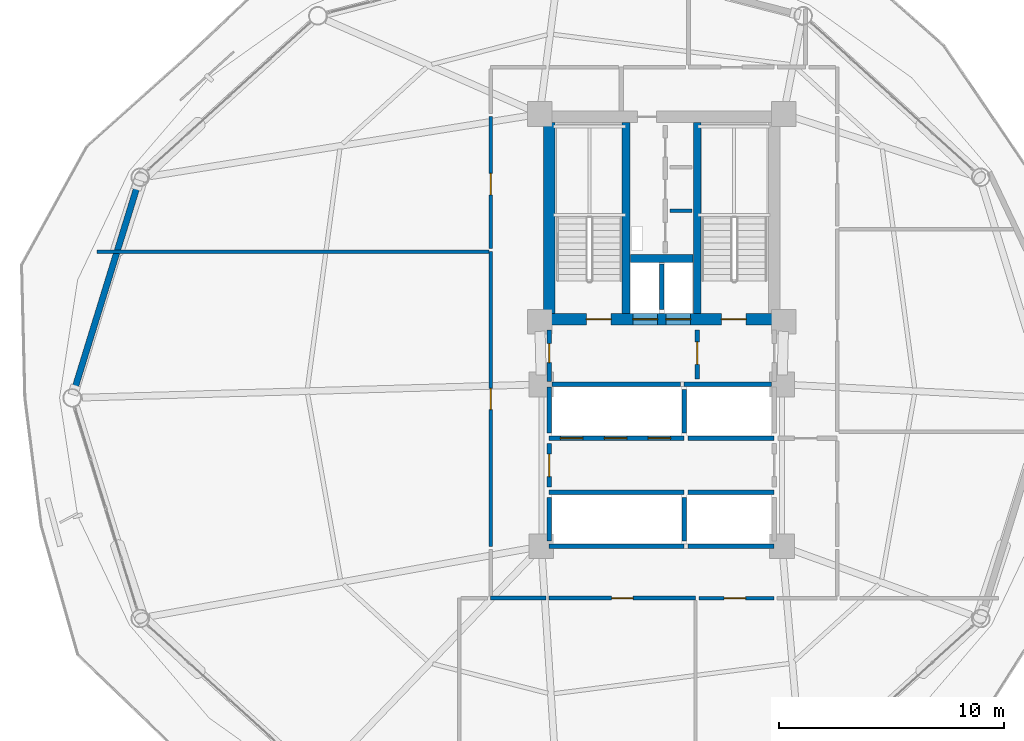
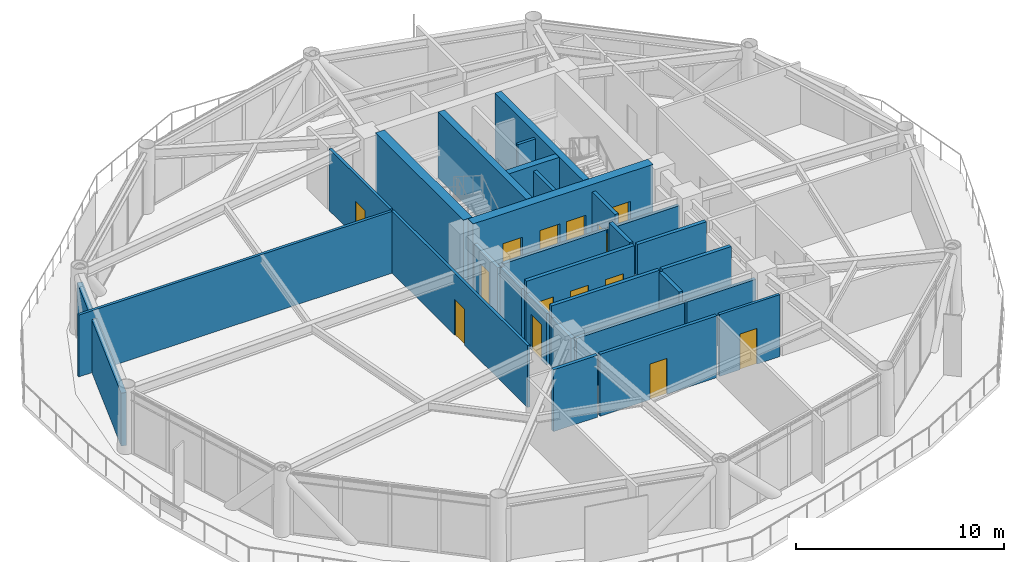
# One storey, part 21 of 26: 29 walls, 14 doors, 14 openings.
"""IFC4 building model written with IfcOpenShell, lengths in metres."""

import ifcopenshell
import ifcopenshell.guid

model = None  # the IFC model being written
_history = None  # IfcOwnerHistory: only IFC2X3 demands one
_inside = {}  # id of a spatial element -> (the spatial element, [elements in it])
_under = {}  # id of a project, library or spatial element -> (it, [spatial elements below it])
_declared = {}  # id of a project -> (the project, [libraries it declares])
_typed = {}  # id of a type object -> (the type object, [elements of that type])
_made_of = {}  # id of a material, layer set ... -> (it, [elements and type objects made of it])


def new_model(schema):
    """Start an empty IFC model of exactly this schema.

    Asked for "IFC4X3", IfcOpenShell would pick the latest addendum, in which some entities
    have other attributes; the version numbers below select the first issue.
    IFC2X3 requires an IfcOwnerHistory on every rooted entity: one is made here for all.
    """
    global model, _history
    if schema == "IFC4X3":
        model = ifcopenshell.file(schema_version=(4, 3, 0, 0))
    else:
        model = ifcopenshell.file(schema=schema)
    _inside.clear()
    _under.clear()
    _declared.clear()
    _typed.clear()
    _made_of.clear()
    _history = None
    if model.schema == "IFC2X3":
        org = make("IfcOrganization", Name="unknown")
        user = make(
            "IfcPersonAndOrganization",
            ThePerson=make("IfcPerson", FamilyName="unknown"),
            TheOrganization=org,
        )
        app = make(
            "IfcApplication",
            ApplicationDeveloper=org,
            Version="unknown",
            ApplicationFullName="unknown",
            ApplicationIdentifier="unknown",
        )
        _history = make(
            "IfcOwnerHistory",
            OwningUser=user,
            OwningApplication=app,
            ChangeAction="ADDED",
            CreationDate=0,
        )
    return model


def make(cls, **values):
    """One entity of the class cls with the attributes given. An attribute that is None is left unset."""
    return model.create_entity(
        cls, **{name: value for name, value in values.items() if value is not None}
    )


def rooted(cls, **values):
    """An entity with a GlobalId (a new one), such as an element, a storey or a relation."""
    return make(cls, GlobalId=ifcopenshell.guid.new(), OwnerHistory=_history, **values)


def si_unit(unit_type, name, prefix=None):
    """IfcSIUnit, for example si_unit("LENGTHUNIT", "METRE", prefix="MILLI")."""
    return make("IfcSIUnit", UnitType=unit_type, Prefix=prefix, Name=name)


def assignment(units):
    """IfcUnitAssignment: the units of a project."""
    return None if units is None else make("IfcUnitAssignment", Units=units)


def point(xyz):
    """IfcCartesianPoint."""
    return None if xyz is None else make("IfcCartesianPoint", Coordinates=xyz)


def direction(xyz):
    """IfcDirection."""
    return None if xyz is None else make("IfcDirection", DirectionRatios=xyz)


def frame(location, z_axis=None, x_axis=None):
    """IfcAxis2Placement3D, a coordinate frame: its origin and axes. An axis left out is left unset."""
    return make(
        "IfcAxis2Placement3D",
        Location=point(location),
        Axis=direction(z_axis),
        RefDirection=direction(x_axis),
    )


def frame_2d(location, x_axis=None):
    """IfcAxis2Placement2D, a coordinate frame in the plane: its origin and x axis."""
    return make(
        "IfcAxis2Placement2D", Location=point(location), RefDirection=direction(x_axis)
    )


def origin():
    """The frame at (0, 0, 0) with its axes left unset."""
    return frame((0.0, 0.0, 0.0))


def place(relative_to, where):
    """IfcLocalPlacement: puts the frame where relative to a parent placement (None: the world)."""
    return make(
        "IfcLocalPlacement", PlacementRelTo=relative_to, RelativePlacement=where
    )


def context(
    kind, dimensions, precision=None, world=None, true_north=None, identifier=None
):
    """IfcGeometricRepresentationContext, for example the 3D "Model" context."""
    return make(
        "IfcGeometricRepresentationContext",
        ContextIdentifier=identifier,
        ContextType=kind,
        CoordinateSpaceDimension=dimensions,
        Precision=precision,
        WorldCoordinateSystem=world,
        TrueNorth=true_north,
    )


def subcontext(parent, identifier, kind, view, scale=None):
    """IfcGeometricRepresentationSubContext, for example "Body" below "Model"."""
    return make(
        "IfcGeometricRepresentationSubContext",
        ContextIdentifier=identifier,
        ContextType=kind,
        ParentContext=parent,
        TargetScale=scale,
        TargetView=view,
    )


def project(units=None, contexts=None):
    """IfcProject with its units and contexts."""
    return rooted(
        "IfcProject",
        Name="project",
        RepresentationContexts=contexts,
        UnitsInContext=assignment(units),
    )


def spatial(cls, under=None, at=None, **own):
    """A site, building, storey or space (cls), placed at a placement, below another one or the project."""
    s = rooted(cls, ObjectPlacement=at, **own)
    if under is not None:
        _under.setdefault(under.id(), (under, []))[1].append(s)
    return s


def profile(cls, at=None, kind="AREA", **sizes):
    """A parametric profile (cls). Its sizes go by their IFC names, for example OverallWidth=200.0."""
    return make(cls, ProfileType=kind, Position=at, **sizes)


def rectangle(**sizes):
    """IfcRectangleProfileDef."""
    return profile("IfcRectangleProfileDef", **sizes)


def extrude(swept, where, along, depth):
    """IfcExtrudedAreaSolid: the profile swept, set in the frame where, extruded along a direction by depth."""
    return make(
        "IfcExtrudedAreaSolid",
        SweptArea=swept,
        Position=where,
        ExtrudedDirection=direction(along),
        Depth=depth,
    )


def shape(context_of_items, identifier, shape_type, items):
    """IfcShapeRepresentation: the items that make up one representation, for example the "Body"."""
    return make(
        "IfcShapeRepresentation",
        ContextOfItems=context_of_items,
        RepresentationIdentifier=identifier,
        RepresentationType=shape_type,
        Items=items,
    )


def material(Name=None, Category=None):
    """IfcMaterial."""
    return make("IfcMaterial", Name=Name, Category=Category)


def layer(
    of_material, thickness, ventilated=None, Name=None, Category=None, Priority=None
):
    """IfcMaterialLayer: one layer of a wall or slab, of a material (None: an air gap)."""
    return make(
        "IfcMaterialLayer",
        Material=of_material,
        LayerThickness=thickness,
        IsVentilated=ventilated,
        Name=Name,
        Category=Category,
        Priority=Priority,
    )


def layer_set(layers, Name=None):
    """IfcMaterialLayerSet."""
    return make("IfcMaterialLayerSet", MaterialLayers=layers, LayerSetName=Name)


def made_of(thing, what):
    """Note that an element or type object is made of a material, layer set ...; save() writes the relation."""
    if what is not None:
        _made_of.setdefault(what.id(), (what, []))[1].append(thing)
    return thing


def type_object(cls, material=None, **own):
    """A type object (cls), such as IfcWallType, which elements share."""
    return made_of(rooted(cls, **own), material)


def element(
    cls,
    number,
    at=None,
    inside=None,
    cuts=None,
    type_object=None,
    material=None,
    context=None,
    identifier="Body",
    shape_type=None,
    held_by="IfcProductDefinitionShape",
    body=None,
    shapes=None,
    **own,
):
    """One element of the class cls, such as IfcWall. Its Tag is "e" and its number.

    at: its placement. inside: the storey or other place that contains it. cuts: it is an
    opening in that element (IfcRelVoidsElement). A single representation is given by context,
    identifier, shape_type and body (its items); several are given by shapes. held_by: the class
    of the entity that holds the representations. save() writes the other relations.
    """
    e = rooted(cls, Tag="e%d" % number, ObjectPlacement=at, **own)
    if body is not None:
        shapes = [shape(context, identifier, shape_type, body)]
    if shapes is not None:
        e.Representation = make(held_by, Representations=shapes)
    if inside is not None:
        _inside.setdefault(inside.id(), (inside, []))[1].append(e)
    if cuts is not None:
        rooted(
            "IfcRelVoidsElement", RelatingBuildingElement=cuts, RelatedOpeningElement=e
        )
    if type_object is not None:
        _typed.setdefault(type_object.id(), (type_object, []))[1].append(e)
    return made_of(e, material)


def fill(opening, filler):
    """IfcRelFillsElement: the door or window that sits in an opening."""
    return rooted(
        "IfcRelFillsElement",
        RelatingOpeningElement=opening,
        RelatedBuildingElement=filler,
    )


def aggregate(whole, parts):
    """IfcRelAggregates: a whole, such as a stair, and the parts it consists of."""
    return rooted("IfcRelAggregates", RelatingObject=whole, RelatedObjects=parts)


def save(model, path):
    """Write the relations noted so far, then the file.

    IfcRelAggregates (storeys below a building ...), IfcRelContainedInSpatialStructure (elements
    in a storey), IfcRelDefinesByType, IfcRelAssociatesMaterial and IfcRelDeclares: one each for
    every whole, place, type object, material and project.
    """
    for whole, parts in _under.values():
        aggregate(whole, parts)
    for where, things in _inside.values():
        rooted(
            "IfcRelContainedInSpatialStructure",
            RelatedElements=things,
            RelatingStructure=where,
        )
    for kind, things in _typed.values():
        rooted("IfcRelDefinesByType", RelatedObjects=things, RelatingType=kind)
    for what, things in _made_of.values():
        rooted("IfcRelAssociatesMaterial", RelatedObjects=things, RelatingMaterial=what)
    for by, libraries in _declared.values():
        rooted("IfcRelDeclares", RelatingContext=by, RelatedDefinitions=libraries)
    model.write(path)


model = new_model("IFC4")

# Units and contexts
model_context = context("Model", 3, precision=1e-05, world=origin(), true_north=direction((0.0, 1.0)))
body_context = subcontext(model_context, "Body", "Model", "MODEL_VIEW")
ifc_project = project(units=[si_unit("LENGTHUNIT", "METRE"), si_unit("AREAUNIT", "SQUARE_METRE"), si_unit("VOLUMEUNIT", "CUBIC_METRE"), si_unit("PLANEANGLEUNIT", "RADIAN"), si_unit("MASSUNIT", "GRAM", prefix="KILO")], contexts=[model_context])

# Site, building, storey
site_placement = place(None, origin())
site = spatial("IfcSite", under=ifc_project, at=site_placement, CompositionType="ELEMENT")
building_placement = place(site_placement, origin())
building = spatial("IfcBuilding", under=site, at=building_placement, Name="Varnakorn Sky Granary", CompositionType="ELEMENT")
storey_placement = place(building_placement, frame((0.0, 0.0, 95.39990234375)))
storey = spatial("IfcBuildingStorey", under=building, at=storey_placement, Name="L23", CompositionType="ELEMENT", Elevation=95.39990234375)

# Walls
ifc_material_1 = material(Name="Concrete C50/60", Category="concrete")
ifc_layer_1 = layer(ifc_material_1, 0.35009765625, Name="Concrete C50/60")
ifc_layer_set_1 = layer_set([ifc_layer_1], Name="Concrete C50/60")
wall_type_1 = type_object("IfcWallType", Name="WT-CW-INT-350", PredefinedType="SHEAR", material=ifc_layer_set_1)
for number, where, z_axis, x_axis, name in (
    (1, (1.419921875, 3.760009765625, 0.0), (0.0, 0.0, 1.0), (0.0, 1.0, 0.0), "Stair ST-1 Core Wall L23"),
    (2, (4.580078125, 3.760009765625, 0.0), (0.0, 0.0, 1.0), (0.0, 1.0, 0.0), "Stair ST-2 Core Wall L23"),
):
    element("IfcWall", number, at=place(storey_placement, frame(where, z_axis=z_axis, x_axis=x_axis)), inside=storey, type_object=wall_type_1, Name=name, PredefinedType="SHEAR", context=body_context, shape_type="SweptSolid", body=[
        extrude(rectangle(XDim=8.47998046875, YDim=0.35009765625, at=frame_2d((4.239990234375, 0.0))), origin(), (0.0, 0.0, 1.0), 3.89208984375),
    ])
wall_1_placement = place(storey_placement, frame((1.610107421875, 6.199951171875, 0.0), z_axis=(0.0, 0.0, 1.0), x_axis=(1.0, 0.0, 0.0)))
element("IfcWall", 3, at=wall_1_placement, inside=storey, type_object=wall_type_1, Name="Core Lift Shaft Cross Wall L23", PredefinedType="SHEAR", context=body_context, shape_type="SweptSolid", body=[
    extrude(rectangle(XDim=2.77978515625, YDim=0.35009765625, at=frame_2d((1.389892578125, 0.0))), origin(), (0.0, 0.0, 1.0), 3.89208984375),
])

# Wall, openings, doors
ifc_material_2 = material(Name="Concrete C60/75", Category="concrete")
ifc_layer_2 = layer(ifc_material_2, 0.5, Name="Concrete C60/75")
ifc_layer_set_2 = layer_set([ifc_layer_2], Name="Concrete C60/75")
wall_type_2 = type_object("IfcWallType", Name="WT-CW-SHEAR-500", PredefinedType="SHEAR", material=ifc_layer_set_2)
wall_2_placement = place(storey_placement, frame((-2.0, 3.5, 0.0), z_axis=(0.0, 0.0, 1.0), x_axis=(1.0, 0.0, 0.0)))
wall_2 = element("IfcWall", 4, at=wall_2_placement, inside=storey, type_object=wall_type_2, Name="Core South Shear Wall L23", PredefinedType="SHEAR", context=body_context, shape_type="SweptSolid", body=[
    extrude(rectangle(XDim=10.0, YDim=0.5, at=frame_2d((5.0, 0.0))), origin(), (0.0, 0.0, 1.0), 3.89208984375),
])
opening_1_placement = place(wall_2_placement, frame((1.64990234375, 0.0, 0.0)))
opening_1 = element("IfcOpeningElement", 5, at=opening_1_placement, cuts=wall_2, Name="Opening FD-90", PredefinedType="OPENING", context=body_context, shape_type="SweptSolid", body=[
    extrude(rectangle(XDim=1.10009765625, YDim=2.14990234375, at=frame_2d((0.550048828125, 1.074951171875))), frame((0.0, 0.260009765625, 0.0), z_axis=(0.0, -1.0, 0.0), x_axis=(1.0, 0.0, 0.0)), (0.0, 0.0, 1.0), 0.52001953125),
])
opening_2_placement = place(wall_2_placement, frame((7.64990234375, 0.0, 0.0)))
opening_2 = element("IfcOpeningElement", 6, at=opening_2_placement, cuts=wall_2, Name="Opening FD-90", PredefinedType="OPENING", context=body_context, shape_type="SweptSolid", body=[
    extrude(rectangle(XDim=1.10009765625, YDim=2.14990234375, at=frame_2d((0.550048828125, 1.074951171875))), frame((0.0, 0.260009765625, 0.0), z_axis=(0.0, -1.0, 0.0), x_axis=(1.0, 0.0, 0.0)), (0.0, 0.0, 1.0), 0.52001953125),
])
opening_3_placement = place(wall_2_placement, frame((3.719970703125, 0.0, 0.0)))
opening_3 = element("IfcOpeningElement", 7, at=opening_3_placement, cuts=wall_2, Name="Opening LD-01", PredefinedType="OPENING", context=body_context, shape_type="SweptSolid", body=[
    extrude(rectangle(XDim=1.10009765625, YDim=2.199951171875, at=frame_2d((0.550048828125, 1.10009765625))), frame((0.0, 0.260009765625, 0.0), z_axis=(0.0, -1.0, 0.0), x_axis=(1.0, 0.0, 0.0)), (0.0, 0.0, 1.0), 0.52001953125),
])
opening_4_placement = place(wall_2_placement, frame((5.179931640625, 0.0, 0.0)))
opening_4 = element("IfcOpeningElement", 8, at=opening_4_placement, cuts=wall_2, Name="Opening LD-01", PredefinedType="OPENING", context=body_context, shape_type="SweptSolid", body=[
    extrude(rectangle(XDim=1.10009765625, YDim=2.199951171875, at=frame_2d((0.550048828125, 1.10009765625))), frame((0.0, 0.260009765625, 0.0), z_axis=(0.0, -1.0, 0.0), x_axis=(1.0, 0.0, 0.0)), (0.0, 0.0, 1.0), 0.52001953125),
])
ifc_material_3 = material(Name="Brushed Bronze Stainless Steel", Category="steel")
door_type_1 = type_object("IfcDoorType", Name="DR-LD-1100", OperationType="DOUBLE_DOOR_SLIDING", PredefinedType="DOOR", material=ifc_material_3)
door_1_placement = place(opening_3_placement, origin())
door_1 = element("IfcDoor", 9, at=door_1_placement, inside=storey, type_object=door_type_1, Name="Firefighting Lift FFL-1 Landing Door L23", OperationType="DOUBLE_DOOR_SLIDING", OverallHeight=2.199951171875, OverallWidth=1.10009765625, PredefinedType="DOOR", context=body_context, shape_type="SweptSolid", body=[
    extrude(rectangle(XDim=1.10009765625, YDim=2.199951171875, at=frame_2d((0.550048828125, 1.10009765625))), frame((0.0, 0.02490234375, 0.0), z_axis=(0.0, -1.0, 0.0), x_axis=(1.0, 0.0, 0.0)), (0.0, 0.0, 1.0), 0.050048828125),
])
fill(opening_3, door_1)
door_2_placement = place(opening_4_placement, origin())
door_2 = element("IfcDoor", 10, at=door_2_placement, inside=storey, type_object=door_type_1, Name="Firefighting Lift FFL-2 Landing Door L23", OperationType="DOUBLE_DOOR_SLIDING", OverallHeight=2.199951171875, OverallWidth=1.10009765625, PredefinedType="DOOR", context=body_context, shape_type="SweptSolid", body=[
    extrude(rectangle(XDim=1.10009765625, YDim=2.199951171875, at=frame_2d((0.550048828125, 1.10009765625))), frame((0.0, 0.02490234375, 0.0), z_axis=(0.0, -1.0, 0.0), x_axis=(1.0, 0.0, 0.0)), (0.0, 0.0, 1.0), 0.050048828125),
])
fill(opening_4, door_2)
ifc_material_4 = material(Name="Galvanised Painted Steel Leaf", Category="steel")
door_type_2 = type_object("IfcDoorType", Name="DR-STAIR-1100", OperationType="NOTDEFINED", PredefinedType="DOOR", material=ifc_material_4)
door_3_placement = place(opening_1_placement, origin())
door_3 = element("IfcDoor", 11, at=door_3_placement, inside=storey, type_object=door_type_2, Name="Stair ST-1 Protected Fire Door L23", OperationType="SINGLE_SWING_LEFT", OverallHeight=2.14990234375, OverallWidth=1.10009765625, PredefinedType="DOOR", context=body_context, shape_type="SweptSolid", body=[
    extrude(rectangle(XDim=1.10009765625, YDim=2.14990234375, at=frame_2d((0.550048828125, 1.074951171875))), frame((0.0, 0.02490234375, 0.0), z_axis=(0.0, -1.0, 0.0), x_axis=(1.0, 0.0, 0.0)), (0.0, 0.0, 1.0), 0.050048828125),
])
fill(opening_1, door_3)
door_4_placement = place(opening_2_placement, origin())
door_4 = element("IfcDoor", 12, at=door_4_placement, inside=storey, type_object=door_type_2, Name="Stair ST-2 Protected Fire Door L23", OperationType="SINGLE_SWING_RIGHT", OverallHeight=2.14990234375, OverallWidth=1.10009765625, PredefinedType="DOOR", context=body_context, shape_type="SweptSolid", body=[
    extrude(rectangle(XDim=1.10009765625, YDim=2.14990234375, at=frame_2d((0.550048828125, 1.074951171875))), frame((0.0, 0.02490234375, 0.0), z_axis=(0.0, -1.0, 0.0), x_axis=(1.0, 0.0, 0.0)), (0.0, 0.0, 1.0), 0.050048828125),
])
fill(opening_2, door_4)

# Walls
wall_3_placement = place(storey_placement, frame((-2.0, 3.760009765625, 0.0), z_axis=(0.0, 0.0, 1.0), x_axis=(0.0, 1.0, 0.0)))
element("IfcWall", 13, at=wall_3_placement, inside=storey, type_object=wall_type_2, Name="Core West Shear Wall L23", PredefinedType="SHEAR", context=body_context, shape_type="SweptSolid", body=[
    extrude(rectangle(XDim=8.47998046875, YDim=0.5, at=frame_2d((4.239990234375, 0.0))), origin(), (0.0, 0.0, 1.0), 3.89208984375),
])
ifc_material_5 = material(Name="Precast concrete C40/50", Category="concrete")
ifc_layer_3 = layer(ifc_material_5, 0.280029296875, Name="Precast concrete C40/50")
ifc_layer_set_3 = layer_set([ifc_layer_3], Name="Precast concrete C40/50")
wall_type_3 = type_object("IfcWallType", Name="WT-EW-CRN-280", PredefinedType="SOLIDWALL", material=ifc_layer_set_3)
wall_4_placement = place(storey_placement, frame((-23.1103515625, 0.345458984375, 0.0), z_axis=(0.0, 0.0, 1.0), x_axis=(0.294788669412, 0.955562473304, 0.0)))
element("IfcWall", 14, at=wall_4_placement, inside=storey, type_object=wall_type_3, Name="Agritech Insulated Precast Facade Wall L23-P06", PredefinedType="SOLIDWALL", context=body_context, shape_type="SweptSolid", body=[
    extrude(rectangle(XDim=9.543212890625, YDim=0.280029296875, at=frame_2d((4.771484375, 0.0))), origin(), (0.0, 0.0, 1.0), 3.110107421875),
])

# Wall, opening, door
ifc_material_6 = material(Name="Autoclaved Aerated Concrete Blockwork", Category="masonry")
ifc_layer_4 = layer(ifc_material_6, 0.199951171875, Name="Autoclaved Aerated Concrete Blockwork")
ifc_layer_set_4 = layer_set([ifc_layer_4], Name="Autoclaved Aerated Concrete Blockwork")
wall_type_4 = type_object("IfcWallType", Name="WT-FIRE-200", PredefinedType="MOVABLE", material=ifc_layer_set_4)
wall_5_placement = place(storey_placement, frame((4.580078125, 0.830078125, 0.0), z_axis=(0.0, 0.0, 1.0), x_axis=(0.0, 1.0, 0.0)))
wall_5 = element("IfcWall", 15, at=wall_5_placement, inside=storey, type_object=wall_type_4, Name="Interior Partition Wall L23-016", PredefinedType="MOVABLE", context=body_context, shape_type="SweptSolid", body=[
    extrude(rectangle(XDim=2.18994140625, YDim=0.199951171875, at=frame_2d((1.094970703125, 0.0))), origin(), (0.0, 0.0, 1.0), 3.64013671875),
])
opening_5_placement = place(wall_5_placement, frame((0.659912109375, 0.0, 0.0)))
opening_5 = element("IfcOpeningElement", 16, at=opening_5_placement, cuts=wall_5, Name="Opening FD-60", PredefinedType="OPENING", context=body_context, shape_type="SweptSolid", body=[
    extrude(rectangle(XDim=1.0, YDim=2.10009765625, at=frame_2d((0.5, 1.050048828125))), frame((0.0, 0.10986328125, 0.0), z_axis=(0.0, -1.0, 0.0), x_axis=(1.0, 0.0, 0.0)), (0.0, 0.0, 1.0), 0.219970703125),
])
ifc_material_7 = material(Name="Acoustic Timber Fire Leaf", Category="wood")
door_type_3 = type_object("IfcDoorType", Name="DR-FD60-1000", OperationType="NOTDEFINED", PredefinedType="DOOR", material=ifc_material_7)
door_5_placement = place(opening_5_placement, origin())
door_5 = element("IfcDoor", 17, at=door_5_placement, inside=storey, type_object=door_type_3, Name="Interior Door L23-016-1", OperationType="SINGLE_SWING_LEFT", OverallHeight=2.10009765625, OverallWidth=1.0, PredefinedType="DOOR", context=body_context, shape_type="SweptSolid", body=[
    extrude(rectangle(XDim=1.0, YDim=2.10009765625, at=frame_2d((0.5, 1.050048828125))), frame((0.0, 0.02490234375, 0.0), z_axis=(0.0, -1.0, 0.0), x_axis=(1.0, 0.0, 0.0)), (0.0, 0.0, 1.0), 0.050048828125),
])
fill(opening_5, door_5)

wall_6_placement = place(storey_placement, frame((-2.0, 0.719970703125, 0.0), z_axis=(0.0, 0.0, 1.0), x_axis=(0.0, 1.0, 0.0)))
wall_6 = element("IfcWall", 18, at=wall_6_placement, inside=storey, type_object=wall_type_4, Name="Interior Partition Wall L23-017", PredefinedType="MOVABLE", context=body_context, shape_type="SweptSolid", body=[
    extrude(rectangle(XDim=2.300048828125, YDim=0.199951171875, at=frame_2d((1.14990234375, 0.0))), origin(), (0.0, 0.0, 1.0), 2.8720703125),
])
opening_6_placement = place(wall_6_placement, frame((0.844970703125, 0.0, 0.0)))
opening_6 = element("IfcOpeningElement", 19, at=opening_6_placement, cuts=wall_6, Name="Opening FD-60N", PredefinedType="OPENING", context=body_context, shape_type="SweptSolid", body=[
    extrude(rectangle(XDim=0.85009765625, YDim=2.10009765625, at=frame_2d((0.425048828125, 1.050048828125))), frame((0.0, 0.10986328125, 0.0), z_axis=(0.0, -1.0, 0.0), x_axis=(1.0, 0.0, 0.0)), (0.0, 0.0, 1.0), 0.219970703125),
])
door_type_4 = type_object("IfcDoorType", Name="DR-FD60-850", OperationType="NOTDEFINED", PredefinedType="DOOR", material=ifc_material_7)
door_6_placement = place(opening_6_placement, origin())
door_6 = element("IfcDoor", 20, at=door_6_placement, inside=storey, type_object=door_type_4, Name="Interior Door L23-017-1", OperationType="SINGLE_SWING_RIGHT", OverallHeight=2.10009765625, OverallWidth=0.85009765625, PredefinedType="DOOR", context=body_context, shape_type="SweptSolid", body=[
    extrude(rectangle(XDim=0.85009765625, YDim=2.10009765625, at=frame_2d((0.425048828125, 1.050048828125))), frame((0.0, 0.02490234375, 0.0), z_axis=(0.0, -1.0, 0.0), x_axis=(1.0, 0.0, 0.0)), (0.0, 0.0, 1.0), 0.050048828125),
])
fill(opening_6, door_6)

wall_7_placement = place(storey_placement, frame((-2.0, -3.969970703125, 0.0), z_axis=(0.0, 0.0, 1.0), x_axis=(0.0, 1.0, 0.0)))
wall_7 = element("IfcWall", 21, at=wall_7_placement, inside=storey, type_object=wall_type_4, Name="Interior Partition Wall L23-019", PredefinedType="MOVABLE", context=body_context, shape_type="SweptSolid", body=[
    extrude(rectangle(XDim=1.93994140625, YDim=0.199951171875, at=frame_2d((0.969970703125, 0.0))), origin(), (0.0, 0.0, 1.0), 3.022216796875),
])
opening_7_placement = place(wall_7_placement, frame((0.469970703125, 0.0, 0.0)))
opening_7 = element("IfcOpeningElement", 22, at=opening_7_placement, cuts=wall_7, Name="Opening FD-60", PredefinedType="OPENING", context=body_context, shape_type="SweptSolid", body=[
    extrude(rectangle(XDim=1.0, YDim=2.10009765625, at=frame_2d((0.5, 1.050048828125))), frame((0.0, 0.10986328125, 0.0), z_axis=(0.0, -1.0, 0.0), x_axis=(1.0, 0.0, 0.0)), (0.0, 0.0, 1.0), 0.219970703125),
])
door_7_placement = place(opening_7_placement, origin())
door_7 = element("IfcDoor", 23, at=door_7_placement, inside=storey, type_object=door_type_3, Name="Interior Door L23-019-1", OperationType="SINGLE_SWING_RIGHT", OverallHeight=2.10009765625, OverallWidth=1.0, PredefinedType="DOOR", context=body_context, shape_type="SweptSolid", body=[
    extrude(rectangle(XDim=1.0, YDim=2.10009765625, at=frame_2d((0.5, 1.050048828125))), frame((0.0, 0.02490234375, 0.0), z_axis=(0.0, -1.0, 0.0), x_axis=(1.0, 0.0, 0.0)), (0.0, 0.0, 1.0), 0.050048828125),
])
fill(opening_7, door_7)

# Wall
wall_8_placement = place(storey_placement, frame((-1.8798828125, 0.60009765625, 0.0), z_axis=(0.0, 0.0, 1.0), x_axis=(1.0, 0.0, 0.0)))
element("IfcWall", 24, at=wall_8_placement, inside=storey, type_object=wall_type_4, Name="Interior Partition Wall L23-032", PredefinedType="MOVABLE", context=body_context, shape_type="SweptSolid", body=[
    extrude(rectangle(XDim=5.719970703125, YDim=0.199951171875, at=frame_2d((2.85986328125, 0.0))), origin(), (0.0, 0.0, 1.0), 3.172119140625),
])

# Wall, opening, door
ifc_material_8 = material(Name="Gypsum Plasterboard on Steel Stud", Category="steel")
ifc_layer_5 = layer(ifc_material_8, 0.14990234375, Name="Gypsum Plasterboard on Steel Stud")
ifc_layer_set_5 = layer_set([ifc_layer_5], Name="Gypsum Plasterboard on Steel Stud")
wall_type_5 = type_object("IfcWallType", Name="WT-PART-150", PredefinedType="PARTITIONING", material=ifc_layer_set_5)
wall_9_placement = place(storey_placement, frame((4.64990234375, -8.89990234375, 0.0), z_axis=(0.0, 0.0, 1.0), x_axis=(1.0, 0.0, 0.0)))
wall_9 = element("IfcWall", 25, at=wall_9_placement, inside=storey, type_object=wall_type_5, Name="Interior Partition Wall L23-024", PredefinedType="PARTITIONING", context=body_context, shape_type="SweptSolid", body=[
    extrude(rectangle(XDim=3.35009765625, YDim=0.14990234375, at=frame_2d((1.675048828125, 0.0))), origin(), (0.0, 0.0, 1.0), 3.64013671875),
])
opening_8_placement = place(wall_9_placement, frame((1.125, 0.0, 0.0)))
opening_8 = element("IfcOpeningElement", 26, at=opening_8_placement, cuts=wall_9, Name="Opening ID-95", PredefinedType="OPENING", context=body_context, shape_type="SweptSolid", body=[
    extrude(rectangle(XDim=0.949951171875, YDim=2.10009765625, at=frame_2d((0.47509765625, 1.050048828125))), frame((0.0, 0.0849609375, 0.0), z_axis=(0.0, -1.0, 0.0), x_axis=(1.0, 0.0, 0.0)), (0.0, 0.0, 1.0), 0.169921875),
])
ifc_material_9 = material(Name="Solid-Core Teak Veneer Leaf", Category="timber")
door_type_5 = type_object("IfcDoorType", Name="DR-INT-950", OperationType="NOTDEFINED", PredefinedType="DOOR", material=ifc_material_9)
door_8_placement = place(opening_8_placement, origin())
door_8 = element("IfcDoor", 27, at=door_8_placement, inside=storey, type_object=door_type_5, Name="Interior Door L23-024-1", OperationType="SINGLE_SWING_LEFT", OverallHeight=2.10009765625, OverallWidth=0.949951171875, PredefinedType="DOOR", context=body_context, shape_type="SweptSolid", body=[
    extrude(rectangle(XDim=0.949951171875, YDim=2.10009765625, at=frame_2d((0.47509765625, 1.050048828125))), frame((0.0, 0.02490234375, 0.0), z_axis=(0.0, -1.0, 0.0), x_axis=(1.0, 0.0, 0.0)), (0.0, 0.0, 1.0), 0.050048828125),
])
fill(opening_8, door_8)

wall_10_placement = place(storey_placement, frame((-4.60009765625, 6.5, 0.0), z_axis=(0.0, 0.0, 1.0), x_axis=(0.0, -1.0, 0.0)))
wall_10 = element("IfcWall", 28, at=wall_10_placement, inside=storey, type_object=wall_type_5, Name="Interior Partition Wall L23-025", PredefinedType="PARTITIONING", context=body_context, shape_type="SweptSolid", body=[
    extrude(rectangle(XDim=13.10009765625, YDim=0.14990234375, at=frame_2d((6.550048828125, 0.0))), origin(), (0.0, 0.0, 1.0), 3.64013671875),
])
opening_9_placement = place(wall_10_placement, frame((6.074951171875, 0.0, 0.0)))
opening_9 = element("IfcOpeningElement", 29, at=opening_9_placement, cuts=wall_10, Name="Opening ID-95", PredefinedType="OPENING", context=body_context, shape_type="SweptSolid", body=[
    extrude(rectangle(XDim=0.949951171875, YDim=2.10009765625, at=frame_2d((0.47509765625, 1.050048828125))), frame((0.0, 0.0849609375, 0.0), z_axis=(0.0, -1.0, 0.0), x_axis=(1.0, 0.0, 0.0)), (0.0, 0.0, 1.0), 0.169921875),
])
door_9_placement = place(opening_9_placement, origin())
door_9 = element("IfcDoor", 30, at=door_9_placement, inside=storey, type_object=door_type_5, Name="Interior Door L23-025-1", OperationType="SINGLE_SWING_RIGHT", OverallHeight=2.10009765625, OverallWidth=0.949951171875, PredefinedType="DOOR", context=body_context, shape_type="SweptSolid", body=[
    extrude(rectangle(XDim=0.949951171875, YDim=2.10009765625, at=frame_2d((0.47509765625, 1.050048828125))), frame((0.0, 0.02490234375, 0.0), z_axis=(0.0, -1.0, 0.0), x_axis=(1.0, 0.0, 0.0)), (0.0, 0.0, 1.0), 0.050048828125),
])
fill(opening_9, door_9)

wall_11_placement = place(storey_placement, frame((-4.60009765625, 12.5, 0.0), z_axis=(0.0, 0.0, 1.0), x_axis=(0.0, -1.0, 0.0)))
wall_11 = element("IfcWall", 31, at=wall_11_placement, inside=storey, type_object=wall_type_5, Name="Interior Partition Wall L23-026", PredefinedType="PARTITIONING", context=body_context, shape_type="SweptSolid", body=[
    extrude(rectangle(XDim=5.864990234375, YDim=0.14990234375, at=frame_2d((2.9326171875, 0.0))), origin(), (0.0, 0.0, 1.0), 3.64013671875),
])
opening_10_placement = place(wall_11_placement, frame((2.52490234375, 0.0, 0.0)))
opening_10 = element("IfcOpeningElement", 32, at=opening_10_placement, cuts=wall_11, Name="Opening ID-95", PredefinedType="OPENING", context=body_context, shape_type="SweptSolid", body=[
    extrude(rectangle(XDim=0.949951171875, YDim=2.10009765625, at=frame_2d((0.47509765625, 1.050048828125))), frame((0.0, 0.0849609375, 0.0), z_axis=(0.0, -1.0, 0.0), x_axis=(1.0, 0.0, 0.0)), (0.0, 0.0, 1.0), 0.169921875),
])
door_10_placement = place(opening_10_placement, origin())
door_10 = element("IfcDoor", 33, at=door_10_placement, inside=storey, type_object=door_type_5, Name="Interior Door L23-026-1", OperationType="SINGLE_SWING_LEFT", OverallHeight=2.10009765625, OverallWidth=0.949951171875, PredefinedType="DOOR", context=body_context, shape_type="SweptSolid", body=[
    extrude(rectangle(XDim=0.949951171875, YDim=2.10009765625, at=frame_2d((0.47509765625, 1.050048828125))), frame((0.0, 0.02490234375, 0.0), z_axis=(0.0, -1.0, 0.0), x_axis=(1.0, 0.0, 0.0)), (0.0, 0.0, 1.0), 0.050048828125),
])
fill(opening_10, door_10)

# Walls
wall_12_placement = place(storey_placement, frame((3.3701171875, 8.320068359375, 0.0), z_axis=(0.0, 0.0, 1.0), x_axis=(1.0, 0.0, 0.0)))
element("IfcWall", 34, at=wall_12_placement, inside=storey, type_object=wall_type_5, Name="Interior Partition Wall L23-030", PredefinedType="PARTITIONING", context=body_context, shape_type="SweptSolid", body=[
    extrude(rectangle(XDim=0.97998046875, YDim=0.14990234375, at=frame_2d((0.489990234375, 0.0))), origin(), (0.0, 0.0, 1.0), 3.64013671875),
])
wall_13_placement = place(storey_placement, frame((-22.10595703125, 6.5, 0.0), z_axis=(0.0, 0.0, 1.0), x_axis=(1.0, 0.0, 0.0)))
element("IfcWall", 35, at=wall_13_placement, inside=storey, type_object=wall_type_5, Name="Interior Partition Wall L23-042", PredefinedType="PARTITIONING", context=body_context, shape_type="SweptSolid", body=[
    extrude(rectangle(XDim=17.4208984375, YDim=0.14990234375, at=frame_2d((8.71044921875, 0.0))), origin(), (0.0, 0.0, 1.0), 3.64013671875),
])

# Wall, opening, door
ifc_material_10 = material(Name="Moisture-Resistant Gypsum on Stud", Category="gypsum")
ifc_layer_6 = layer(ifc_material_10, 0.179931640625, Name="Moisture-Resistant Gypsum on Stud")
ifc_layer_set_6 = layer_set([ifc_layer_6], Name="Moisture-Resistant Gypsum on Stud")
wall_type_6 = type_object("IfcWallType", Name="WT-PLUMB-180", PredefinedType="PLUMBINGWALL", material=ifc_layer_set_6)
wall_14_placement = place(storey_placement, frame((-2.0, -8.89990234375, 0.0), z_axis=(0.0, 0.0, 1.0), x_axis=(1.0, 0.0, 0.0)))
wall_14 = element("IfcWall", 36, at=wall_14_placement, inside=storey, type_object=wall_type_6, Name="Interior Partition Wall L23-023", PredefinedType="PLUMBINGWALL", context=body_context, shape_type="SweptSolid", body=[
    extrude(rectangle(XDim=6.5, YDim=0.179931640625, at=frame_2d((3.25, 0.0))), origin(), (0.0, 0.0, 1.0), 3.64013671875),
])
opening_11_placement = place(wall_14_placement, frame((2.77490234375, 0.0, 0.0)))
opening_11 = element("IfcOpeningElement", 37, at=opening_11_placement, cuts=wall_14, Name="Opening ID-95", PredefinedType="OPENING", context=body_context, shape_type="SweptSolid", body=[
    extrude(rectangle(XDim=0.949951171875, YDim=2.10009765625, at=frame_2d((0.47509765625, 1.050048828125))), frame((0.0, 0.10009765625, 0.0), z_axis=(0.0, -1.0, 0.0), x_axis=(1.0, 0.0, 0.0)), (0.0, 0.0, 1.0), 0.199951171875),
])
door_11_placement = place(opening_11_placement, origin())
door_11 = element("IfcDoor", 38, at=door_11_placement, inside=storey, type_object=door_type_5, Name="Interior Door L23-023-1", OperationType="SINGLE_SWING_RIGHT", OverallHeight=2.10009765625, OverallWidth=0.949951171875, PredefinedType="DOOR", context=body_context, shape_type="SweptSolid", body=[
    extrude(rectangle(XDim=0.949951171875, YDim=2.10009765625, at=frame_2d((0.47509765625, 1.050048828125))), frame((0.0, 0.02490234375, 0.0), z_axis=(0.0, -1.0, 0.0), x_axis=(1.0, 0.0, 0.0)), (0.0, 0.0, 1.0), 0.050048828125),
])
fill(opening_11, door_11)

# Walls
wall_15_placement = place(storey_placement, frame((-4.60009765625, -8.89990234375, 0.0), z_axis=(0.0, 0.0, 1.0), x_axis=(1.0, 0.0, 0.0)))
element("IfcWall", 39, at=wall_15_placement, inside=storey, type_object=wall_type_6, Name="Interior Partition Wall L23-035", PredefinedType="PLUMBINGWALL", context=body_context, shape_type="SweptSolid", body=[
    extrude(rectangle(XDim=2.4501953125, YDim=0.179931640625, at=frame_2d((1.22509765625, 0.0))), origin(), (0.0, 0.0, 1.0), 3.64013671875),
])
ifc_layer_7 = layer(ifc_material_6, 0.199951171875, Name="Autoclaved Aerated Concrete Blockwork")
ifc_layer_set_7 = layer_set([ifc_layer_7], Name="Autoclaved Aerated Concrete Blockwork")
wall_type_7 = type_object("IfcWallType", Name="WT-SHAFT-200", PredefinedType="SOLIDWALL", material=ifc_layer_set_7)
wall_16_placement = place(storey_placement, frame((3.0, 3.919921875, 0.0), z_axis=(0.0, 0.0, 1.0), x_axis=(0.0, 1.0, 0.0)))
element("IfcWall", 40, at=wall_16_placement, inside=storey, type_object=wall_type_7, Name="Interior Partition Wall L23-001", PredefinedType="SOLIDWALL", context=body_context, shape_type="SweptSolid", body=[
    extrude(rectangle(XDim=2.030029296875, YDim=0.199951171875, at=frame_2d((1.01513671875, 0.0))), origin(), (0.0, 0.0, 1.0), 3.64013671875),
])
wall_17_placement = place(storey_placement, frame((4.0, 0.60009765625, 0.0), z_axis=(0.0, 0.0, 1.0), x_axis=(1.0, 0.0, 0.0)))
element("IfcWall", 41, at=wall_17_placement, inside=storey, type_object=wall_type_7, Name="Interior Partition Wall L23-002", PredefinedType="SOLIDWALL", context=body_context, shape_type="SweptSolid", body=[
    extrude(rectangle(XDim=3.8798828125, YDim=0.199951171875, at=frame_2d((1.93994140625, 0.0))), origin(), (0.0, 0.0, 1.0), 3.172119140625),
])

# Wall, openings, doors
wall_18_placement = place(storey_placement, frame((-2.0, -1.800048828125, 0.0), z_axis=(0.0, 0.0, 1.0), x_axis=(1.0, 0.0, 0.0)))
wall_18 = element("IfcWall", 42, at=wall_18_placement, inside=storey, type_object=wall_type_7, Name="Interior Partition Wall L23-003", PredefinedType="SOLIDWALL", context=body_context, shape_type="SweptSolid", body=[
    extrude(rectangle(XDim=6.0, YDim=0.199951171875, at=frame_2d((3.0, 0.0))), origin(), (0.0, 0.0, 1.0), 3.64013671875),
])
opening_12_placement = place(wall_18_placement, frame((0.5, 0.0, 0.0)))
opening_12 = element("IfcOpeningElement", 43, at=opening_12_placement, cuts=wall_18, Name="Opening LD-03", PredefinedType="OPENING", context=body_context, shape_type="SweptSolid", body=[
    extrude(rectangle(XDim=1.0, YDim=2.199951171875, at=frame_2d((0.5, 1.10009765625))), frame((0.0, 0.10986328125, 0.0), z_axis=(0.0, -1.0, 0.0), x_axis=(1.0, 0.0, 0.0)), (0.0, 0.0, 1.0), 0.219970703125),
])
opening_13_placement = place(wall_18_placement, frame((2.449951171875, 0.0, 0.0)))
opening_13 = element("IfcOpeningElement", 44, at=opening_13_placement, cuts=wall_18, Name="Opening LD-03", PredefinedType="OPENING", context=body_context, shape_type="SweptSolid", body=[
    extrude(rectangle(XDim=1.0, YDim=2.199951171875, at=frame_2d((0.5, 1.10009765625))), frame((0.0, 0.10986328125, 0.0), z_axis=(0.0, -1.0, 0.0), x_axis=(1.0, 0.0, 0.0)), (0.0, 0.0, 1.0), 0.219970703125),
])
opening_14_placement = place(wall_18_placement, frame((4.39990234375, 0.0, 0.0)))
opening_14 = element("IfcOpeningElement", 45, at=opening_14_placement, cuts=wall_18, Name="Opening LD-03", PredefinedType="OPENING", context=body_context, shape_type="SweptSolid", body=[
    extrude(rectangle(XDim=1.0, YDim=2.199951171875, at=frame_2d((0.5, 1.10009765625))), frame((0.0, 0.10986328125, 0.0), z_axis=(0.0, -1.0, 0.0), x_axis=(1.0, 0.0, 0.0)), (0.0, 0.0, 1.0), 0.219970703125),
])
door_type_6 = type_object("IfcDoorType", Name="DR-LD-1000", OperationType="DOUBLE_DOOR_SLIDING", PredefinedType="DOOR", material=ifc_material_3)
door_12_placement = place(opening_12_placement, origin())
door_12 = element("IfcDoor", 46, at=door_12_placement, inside=storey, type_object=door_type_6, Name="Passenger Lift PL-L1 Sliding Landing Door L23", OperationType="DOUBLE_DOOR_SLIDING", OverallHeight=2.199951171875, OverallWidth=1.0, PredefinedType="DOOR", context=body_context, shape_type="SweptSolid", body=[
    extrude(rectangle(XDim=1.0, YDim=2.199951171875, at=frame_2d((0.5, 1.10009765625))), frame((0.0, 0.02490234375, 0.0), z_axis=(0.0, -1.0, 0.0), x_axis=(1.0, 0.0, 0.0)), (0.0, 0.0, 1.0), 0.050048828125),
])
fill(opening_12, door_12)
door_13_placement = place(opening_13_placement, origin())
door_13 = element("IfcDoor", 47, at=door_13_placement, inside=storey, type_object=door_type_6, Name="Passenger Lift PL-L2 Sliding Landing Door L23", OperationType="DOUBLE_DOOR_SLIDING", OverallHeight=2.199951171875, OverallWidth=1.0, PredefinedType="DOOR", context=body_context, shape_type="SweptSolid", body=[
    extrude(rectangle(XDim=1.0, YDim=2.199951171875, at=frame_2d((0.5, 1.10009765625))), frame((0.0, 0.02490234375, 0.0), z_axis=(0.0, -1.0, 0.0), x_axis=(1.0, 0.0, 0.0)), (0.0, 0.0, 1.0), 0.050048828125),
])
fill(opening_13, door_13)
door_14_placement = place(opening_14_placement, origin())
door_14 = element("IfcDoor", 48, at=door_14_placement, inside=storey, type_object=door_type_6, Name="Passenger Lift PL-L3 Sliding Landing Door L23", OperationType="DOUBLE_DOOR_SLIDING", OverallHeight=2.199951171875, OverallWidth=1.0, PredefinedType="DOOR", context=body_context, shape_type="SweptSolid", body=[
    extrude(rectangle(XDim=1.0, YDim=2.199951171875, at=frame_2d((0.5, 1.10009765625))), frame((0.0, 0.02490234375, 0.0), z_axis=(0.0, -1.0, 0.0), x_axis=(1.0, 0.0, 0.0)), (0.0, 0.0, 1.0), 0.050048828125),
])
fill(opening_14, door_14)

# Walls
wall_19_placement = place(storey_placement, frame((-2.0, -1.570068359375, 0.0), z_axis=(0.0, 0.0, 1.0), x_axis=(0.0, 1.0, 0.0)))
element("IfcWall", 49, at=wall_19_placement, inside=storey, type_object=wall_type_7, Name="Interior Partition Wall L23-004", PredefinedType="SOLIDWALL", context=body_context, shape_type="SweptSolid", body=[
    extrude(rectangle(XDim=2.050048828125, YDim=0.199951171875, at=frame_2d((1.02490234375, 0.0))), origin(), (0.0, 0.0, 1.0), 3.022216796875),
])
wall_20_placement = place(storey_placement, frame((4.159912109375, -1.800048828125, 0.0), z_axis=(0.0, 0.0, 1.0), x_axis=(1.0, 0.0, 0.0)))
element("IfcWall", 50, at=wall_20_placement, inside=storey, type_object=wall_type_7, Name="Interior Partition Wall L23-005", PredefinedType="SOLIDWALL", context=body_context, shape_type="SweptSolid", body=[
    extrude(rectangle(XDim=3.840087890625, YDim=0.199951171875, at=frame_2d((1.919921875, 0.0))), origin(), (0.0, 0.0, 1.0), 3.64013671875),
])
wall_21_placement = place(storey_placement, frame((4.0, -1.570068359375, 0.0), z_axis=(0.0, 0.0, 1.0), x_axis=(0.0, 1.0, 0.0)))
element("IfcWall", 51, at=wall_21_placement, inside=storey, type_object=wall_type_7, Name="Interior Partition Wall L23-006", PredefinedType="SOLIDWALL", context=body_context, shape_type="SweptSolid", body=[
    extrude(rectangle(XDim=1.940185546875, YDim=0.199951171875, at=frame_2d((0.97021484375, 0.0))), origin(), (0.0, 0.0, 1.0), 3.64013671875),
])
wall_22_placement = place(storey_placement, frame((-2.0, -4.199951171875, 0.0), z_axis=(0.0, 0.0, 1.0), x_axis=(1.0, 0.0, 0.0)))
element("IfcWall", 52, at=wall_22_placement, inside=storey, type_object=wall_type_7, Name="Interior Partition Wall L23-008", PredefinedType="SOLIDWALL", context=body_context, shape_type="SweptSolid", body=[
    extrude(rectangle(XDim=6.0, YDim=0.199951171875, at=frame_2d((3.0, 0.0))), origin(), (0.0, 0.0, 1.0), 3.64013671875),
])
wall_23_placement = place(storey_placement, frame((-2.0, -6.60009765625, 0.0), z_axis=(0.0, 0.0, 1.0), x_axis=(1.0, 0.0, 0.0)))
element("IfcWall", 53, at=wall_23_placement, inside=storey, type_object=wall_type_7, Name="Interior Partition Wall L23-009", PredefinedType="SOLIDWALL", context=body_context, shape_type="SweptSolid", body=[
    extrude(rectangle(XDim=6.0, YDim=0.199951171875, at=frame_2d((3.0, 0.0))), origin(), (0.0, 0.0, 1.0), 3.172119140625),
])
wall_24_placement = place(storey_placement, frame((-2.0, -6.3701171875, 0.0), z_axis=(0.0, 0.0, 1.0), x_axis=(0.0, 1.0, 0.0)))
element("IfcWall", 54, at=wall_24_placement, inside=storey, type_object=wall_type_7, Name="Interior Partition Wall L23-010", PredefinedType="SOLIDWALL", context=body_context, shape_type="SweptSolid", body=[
    extrude(rectangle(XDim=1.940185546875, YDim=0.199951171875, at=frame_2d((0.97021484375, 0.0))), origin(), (0.0, 0.0, 1.0), 3.022216796875),
])
wall_25_placement = place(storey_placement, frame((4.159912109375, -4.199951171875, 0.0), z_axis=(0.0, 0.0, 1.0), x_axis=(1.0, 0.0, 0.0)))
element("IfcWall", 55, at=wall_25_placement, inside=storey, type_object=wall_type_7, Name="Interior Partition Wall L23-011", PredefinedType="SOLIDWALL", context=body_context, shape_type="SweptSolid", body=[
    extrude(rectangle(XDim=3.840087890625, YDim=0.199951171875, at=frame_2d((1.919921875, 0.0))), origin(), (0.0, 0.0, 1.0), 3.64013671875),
])
wall_26_placement = place(storey_placement, frame((4.159912109375, -6.60009765625, 0.0), z_axis=(0.0, 0.0, 1.0), x_axis=(1.0, 0.0, 0.0)))
element("IfcWall", 56, at=wall_26_placement, inside=storey, type_object=wall_type_7, Name="Interior Partition Wall L23-012", PredefinedType="SOLIDWALL", context=body_context, shape_type="SweptSolid", body=[
    extrude(rectangle(XDim=3.840087890625, YDim=0.199951171875, at=frame_2d((1.919921875, 0.0))), origin(), (0.0, 0.0, 1.0), 3.172119140625),
])
wall_27_placement = place(storey_placement, frame((4.0, -6.3701171875, 0.0), z_axis=(0.0, 0.0, 1.0), x_axis=(0.0, 1.0, 0.0)))
element("IfcWall", 57, at=wall_27_placement, inside=storey, type_object=wall_type_7, Name="Interior Partition Wall L23-013", PredefinedType="SOLIDWALL", context=body_context, shape_type="SweptSolid", body=[
    extrude(rectangle(XDim=1.940185546875, YDim=0.199951171875, at=frame_2d((0.97021484375, 0.0))), origin(), (0.0, 0.0, 1.0), 3.64013671875),
])

save(model, "model.ifc")
